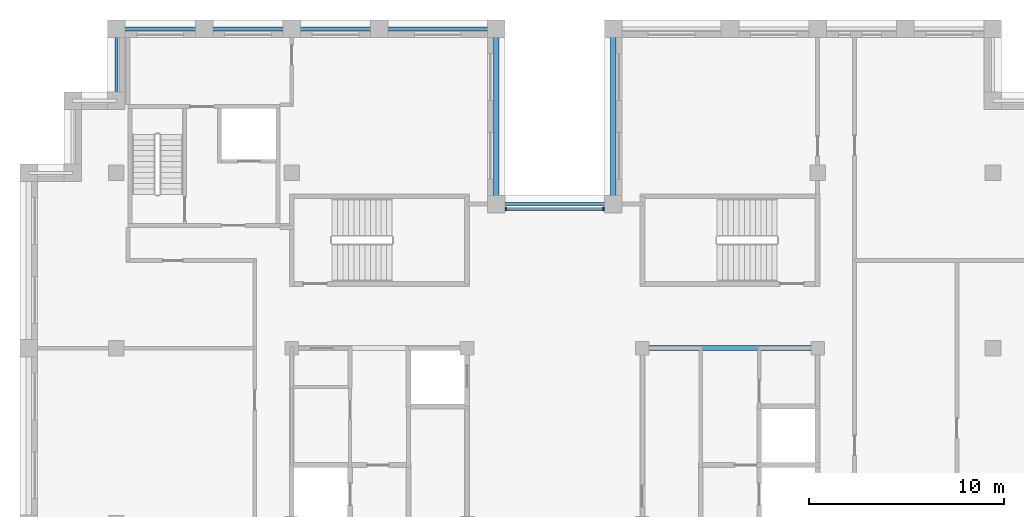
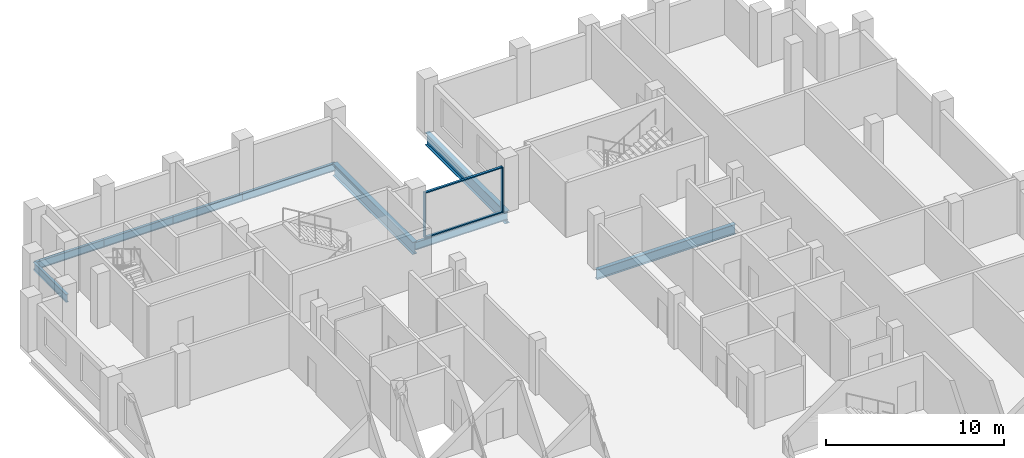
# One storey, part 4 of 13: 9 beams, 4 members, 1 element without a shape of its own.
"""IFC4 building model written with IfcOpenShell, lengths in metres."""

from ifc_helpers import new_model, si_unit, direction, frame, origin, origin_2d, place, context, subcontext, project, spatial, rectangle, i_section, extrude, material, layer, layer_set, material_profile, profile_set, type_object, element, aggregate, save


model = new_model("IFC4")

# Units and contexts
model_context = context("Model", 3, precision=1e-05, world=origin(), true_north=direction((0.0, 1.0)))
body_context = subcontext(model_context, "Body", "Model", "MODEL_VIEW")
ifc_project = project(units=[si_unit("LENGTHUNIT", "METRE"), si_unit("AREAUNIT", "SQUARE_METRE"), si_unit("VOLUMEUNIT", "CUBIC_METRE"), si_unit("PLANEANGLEUNIT", "RADIAN"), si_unit("MASSUNIT", "GRAM", prefix="KILO")], contexts=[model_context])

# Site, building, storey
site_placement = place(None, origin())
site = spatial("IfcSite", under=ifc_project, at=site_placement, CompositionType="ELEMENT")
building_placement = place(site_placement, origin())
building = spatial("IfcBuilding", under=site, at=building_placement, Name="Corbelhall Arena Tower", CompositionType="ELEMENT")
storey_placement = place(building_placement, frame((0.0, 0.0, 334.0)))
storey = spatial("IfcBuildingStorey", under=building, at=storey_placement, Name="L73", CompositionType="ELEMENT", Elevation=334.0)

# Curtain wall, members
ifc_material_1 = material(Name="Aluminium black anodised", Category="aluminium")
ifc_layer = layer(ifc_material_1, 0.199951171875)
ifc_layer_set = layer_set([ifc_layer], Name="EV-CW1 Slot back wall")
curtain_wall_type = type_object("IfcCurtainWallType", Name="EV-CW1 Slot back wall", PredefinedType="NOTDEFINED", material=ifc_layer_set)
curtain_wall_placement = place(storey_placement, origin())
curtain_wall = element("IfcCurtainWall", 1, at=curtain_wall_placement, inside=storey, type_object=curtain_wall_type, Name="Curtain wall CW1", PredefinedType="NOTDEFINED")
ifc_material_profile_1 = material_profile(ifc_material_1, rectangle(XDim=0.199951171875, YDim=0.074951171875, at=origin_2d()))
ifc_profile_set_1 = profile_set([ifc_material_profile_1], Name="Aluminium black anodised")
member_type_1 = type_object("IfcMemberType", Name="EV-CW1-MULLION", PredefinedType="MULLION", material=ifc_profile_set_1)
member_1_placement = place(storey_placement, frame((2.512451171875, 16.14990234375, 0.0), z_axis=(0.0, 0.0, 1.0), x_axis=(0.0, -1.0, 0.0)))
member_1 = element("IfcMember", 2, at=member_1_placement, type_object=member_type_1, Name="CW1 mullion 1", PredefinedType="MULLION", context=body_context, shape_type="SweptSolid", body=[
    extrude(rectangle(XDim=0.199951171875, YDim=0.074951171875, at=origin_2d()), origin(), (0.0, 0.0, 1.0), 3.139892578125),
])
member_2_placement = place(storey_placement, frame((-2.512451171875, 16.14990234375, 0.0), z_axis=(0.0, 0.0, 1.0), x_axis=(0.0, -1.0, 0.0)))
member_2 = element("IfcMember", 3, at=member_2_placement, type_object=member_type_1, Name="CW1 mullion 2", PredefinedType="MULLION", context=body_context, shape_type="SweptSolid", body=[
    extrude(rectangle(XDim=0.199951171875, YDim=0.074951171875, at=origin_2d()), origin(), (0.0, 0.0, 1.0), 3.139892578125),
])
ifc_material_profile_2 = material_profile(ifc_material_1, rectangle(XDim=0.14990234375, YDim=0.074951171875, at=origin_2d()))
ifc_profile_set_2 = profile_set([ifc_material_profile_2], Name="Aluminium black anodised")
member_type_2 = type_object("IfcMemberType", Name="EV-CW1-TRANSOM", PredefinedType="USERDEFINED", material=ifc_profile_set_2)
member_3_placement = place(storey_placement, frame((2.47509765625, 16.14990234375, 0.03759765625), z_axis=(-1.0, 0.0, 0.0), x_axis=(0.0, -1.0, 0.0)))
member_3 = element("IfcMember", 4, at=member_3_placement, type_object=member_type_2, Name="CW1 transom 1.1", ObjectType="transom", PredefinedType="USERDEFINED", context=body_context, shape_type="SweptSolid", body=[
    extrude(rectangle(XDim=0.14990234375, YDim=0.074951171875, at=origin_2d()), origin(), (0.0, 0.0, 1.0), 4.9501953125),
])
member_4_placement = place(storey_placement, frame((2.47509765625, 16.14990234375, 3.1025390625), z_axis=(-1.0, 0.0, 0.0), x_axis=(0.0, -1.0, 0.0)))
member_4 = element("IfcMember", 5, at=member_4_placement, type_object=member_type_2, Name="CW1 transom 1.2", ObjectType="transom", PredefinedType="USERDEFINED", context=body_context, shape_type="SweptSolid", body=[
    extrude(rectangle(XDim=0.14990234375, YDim=0.074951171875, at=origin_2d()), origin(), (0.0, 0.0, 1.0), 4.9501953125),
])
aggregate(curtain_wall, [member_1, member_2, member_3, member_4])

# Beams
ifc_material_2 = material(Name="Steel ASTM A992 Gr50", Category="steel")
ifc_material_profile_3 = material_profile(ifc_material_2, i_section(OverallWidth=0.25390625, OverallDepth=0.67822265625, WebThickness=0.01171875, FlangeThickness=0.016357421875, at=origin_2d()))
ifc_profile_set_3 = profile_set([ifc_material_profile_3], Name="Steel ASTM A992 Gr50")
beam_type_1 = type_object("IfcBeamType", Name="ST-BEAM-W27x84", PredefinedType="BEAM", material=ifc_profile_set_3)
beam_1_placement = place(storey_placement, frame((4.5, 9.0, -0.59912109375), z_axis=(1.0, 0.0, 0.0), x_axis=(0.0, 1.0, 0.0)))
element("IfcBeam", 6, at=beam_1_placement, inside=storey, type_object=beam_type_1, Name="Beam CEE 12", PredefinedType="BEAM", context=body_context, shape_type="SweptSolid", body=[
    extrude(i_section(OverallWidth=0.25390625, OverallDepth=0.67822265625, WebThickness=0.01171875, FlangeThickness=0.016357421875, at=origin_2d()), origin(), (0.0, 0.0, 1.0), 9.0),
])
ifc_material_profile_4 = material_profile(ifc_material_2, i_section(OverallWidth=0.16650390625, OverallDepth=0.535888671875, WebThickness=0.01025390625, FlangeThickness=0.0166015625, at=origin_2d()))
ifc_profile_set_4 = profile_set([ifc_material_profile_4], Name="Steel ASTM A992 Gr50")
beam_type_2 = type_object("IfcBeamType", Name="ST-SPANDREL-W21x57", PredefinedType="SPANDREL", material=ifc_profile_set_4)
beam_2_placement = place(storey_placement, frame((-9.0, 25.39990234375, -0.528076171875), z_axis=(1.0, 0.0, 0.0), x_axis=(0.0, 1.0, 0.0)))
element("IfcBeam", 7, at=beam_2_placement, inside=storey, type_object=beam_type_2, Name="Beam SP 12", PredefinedType="SPANDREL", context=body_context, shape_type="SweptSolid", body=[
    extrude(i_section(OverallWidth=0.16650390625, OverallDepth=0.535888671875, WebThickness=0.01025390625, FlangeThickness=0.0166015625, at=origin_2d()), origin(), (0.0, 0.0, 1.0), 6.0),
])
for number, where, z_axis, x_axis, name in (
    (8, (-13.5, 25.39990234375, -0.528076171875), (1.0, 0.0, 0.0), (0.0, 1.0, 0.0), "Beam SP 13"),
    (9, (-18.0, 25.39990234375, -0.528076171875), (1.0, 0.0, 0.0), (0.0, 1.0, 0.0), "Beam SP 14"),
    (10, (-22.5, 25.39990234375, -0.528076171875), (1.0, 0.0, 0.0), (0.0, 1.0, 0.0), "Beam SP 15"),
):
    element("IfcBeam", number, at=place(storey_placement, frame(where, z_axis=z_axis, x_axis=x_axis)), inside=storey, type_object=beam_type_2, Name=name, PredefinedType="SPANDREL", context=body_context, shape_type="SweptSolid", body=[
        extrude(i_section(OverallWidth=0.16650390625, OverallDepth=0.535888671875, WebThickness=0.01025390625, FlangeThickness=0.0166015625, at=origin_2d()), origin(), (0.0, 0.0, 1.0), 4.5),
    ])
beam_3_placement = place(storey_placement, frame((-3.0, 16.39990234375, -0.528076171875), z_axis=(1.0, 0.0, 0.0), x_axis=(0.0, 1.0, 0.0)))
element("IfcBeam", 11, at=beam_3_placement, inside=storey, type_object=beam_type_2, Name="Beam SP 32", PredefinedType="SPANDREL", context=body_context, shape_type="SweptSolid", body=[
    extrude(i_section(OverallWidth=0.16650390625, OverallDepth=0.535888671875, WebThickness=0.01025390625, FlangeThickness=0.0166015625, at=origin_2d()), origin(), (0.0, 0.0, 1.0), 6.0),
])
beam_4_placement = place(storey_placement, frame((-22.5, 21.699951171875, -0.528076171875), z_axis=(0.0, 1.0, 0.0), x_axis=(-1.0, 0.0, 0.0)))
element("IfcBeam", 12, at=beam_4_placement, inside=storey, type_object=beam_type_2, Name="Beam SP 38", PredefinedType="SPANDREL", context=body_context, shape_type="SweptSolid", body=[
    extrude(i_section(OverallWidth=0.16650390625, OverallDepth=0.535888671875, WebThickness=0.01025390625, FlangeThickness=0.0166015625, at=origin_2d()), origin(), (0.0, 0.0, 1.0), 3.699951171875),
])
ifc_material_profile_5 = material_profile(ifc_material_2, i_section(OverallWidth=0.2919921875, OverallDepth=0.845703125, WebThickness=0.015380859375, FlangeThickness=0.0244140625, at=origin_2d()))
ifc_profile_set_5 = profile_set([ifc_material_profile_5], Name="Steel ASTM A992 Gr50")
beam_type_3 = type_object("IfcBeamType", Name="ST-SPANDREL-W33x141", PredefinedType="SPANDREL", material=ifc_profile_set_5)
for number, where, z_axis, x_axis, name in (
    (13, (-3.0, 25.39990234375, -0.682861328125), (0.0, -1.0, 0.0), (1.0, 0.0, 0.0), "Beam SP 11"),
    (14, (3.0, 16.39990234375, -0.682861328125), (0.0, 1.0, 0.0), (-1.0, 0.0, 0.0), "Beam SP 31"),
):
    element("IfcBeam", number, at=place(storey_placement, frame(where, z_axis=z_axis, x_axis=x_axis)), inside=storey, type_object=beam_type_3, Name=name, PredefinedType="SPANDREL", context=body_context, shape_type="SweptSolid", body=[
        extrude(i_section(OverallWidth=0.2919921875, OverallDepth=0.845703125, WebThickness=0.015380859375, FlangeThickness=0.0244140625, at=origin_2d()), origin(), (0.0, 0.0, 1.0), 9.0),
    ])

save(model, "model.ifc")
